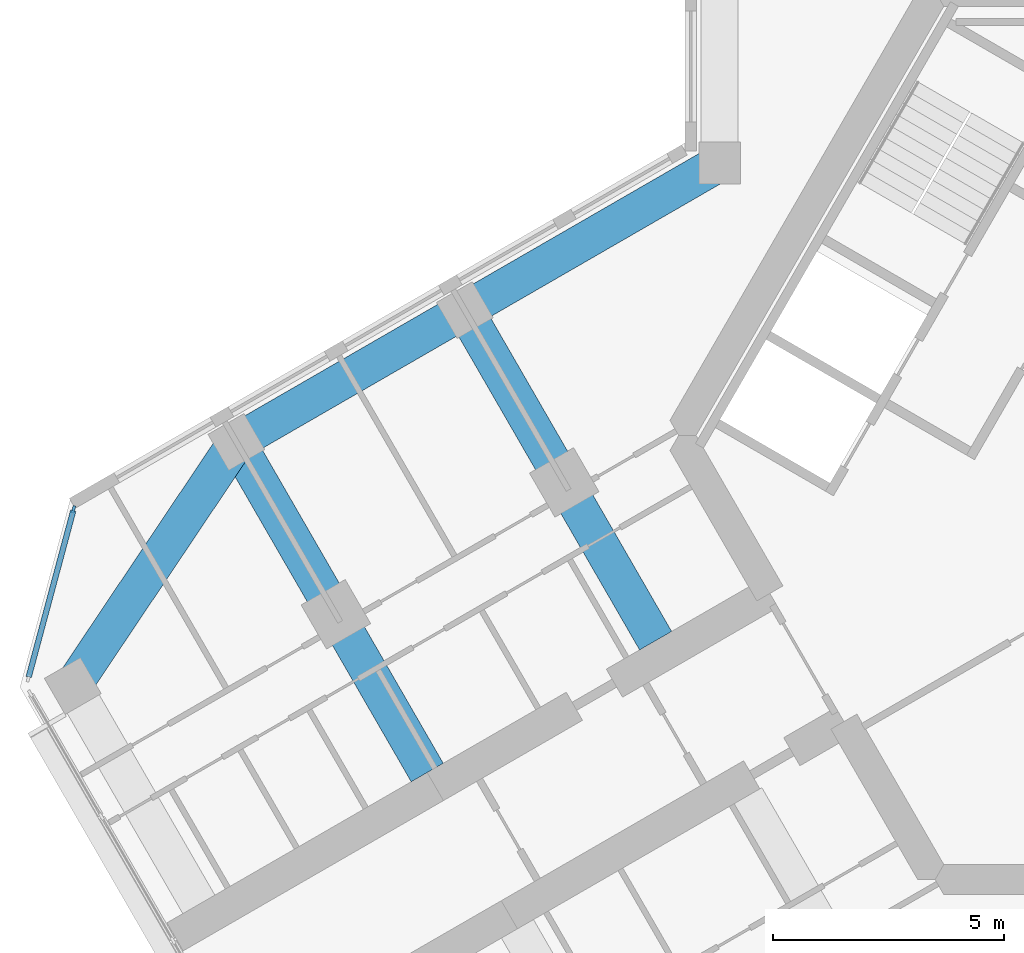
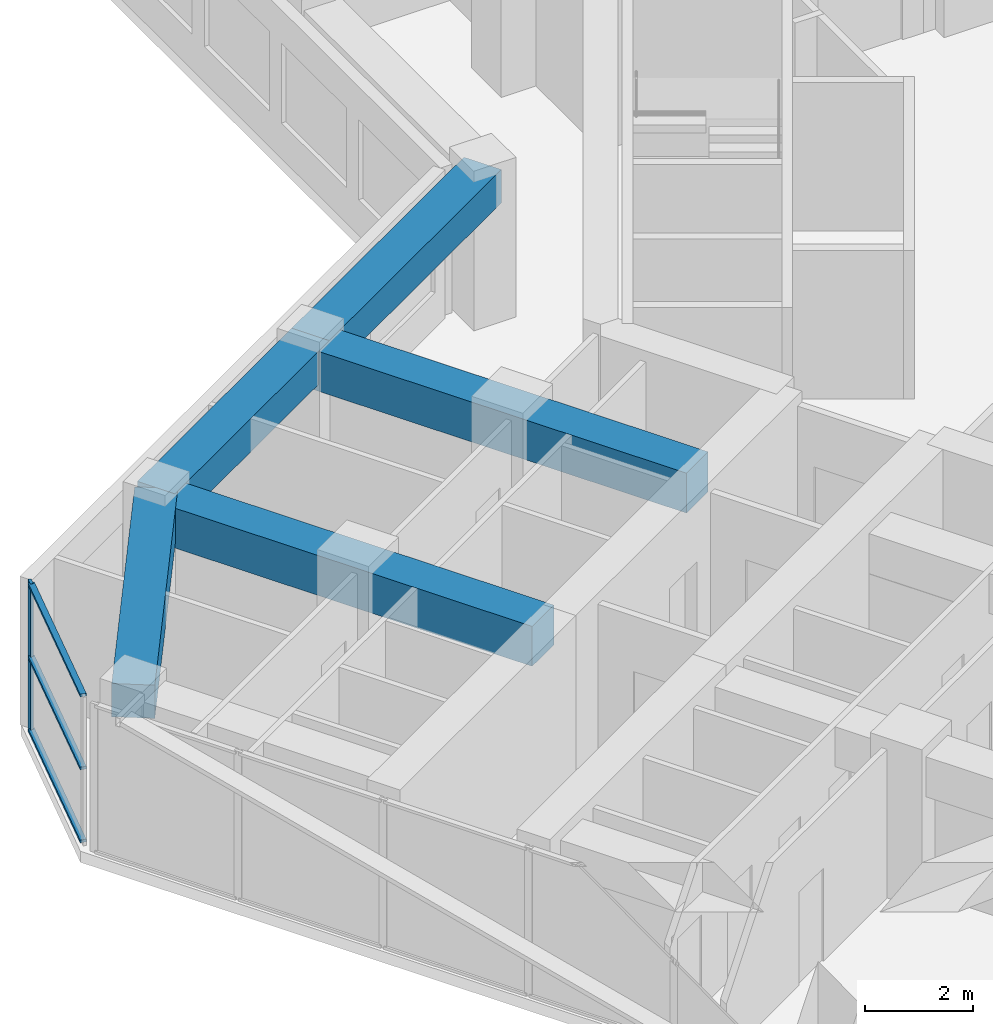
# One storey, part 3 of 16: 5 beams, 4 members, 1 element without a shape of its own.
"""IFC4 building model written with IfcOpenShell, lengths in metres."""

from ifc_helpers import new_model, si_unit, direction, frame, origin, origin_2d, place, context, subcontext, project, spatial, rectangle, extrude, material, material_profile, profile_set, type_object, element, aggregate, save


model = new_model("IFC4")

# Units and contexts
model_context = context("Model", 3, precision=1e-05, world=origin(), true_north=direction((0.0, 1.0)))
body_context = subcontext(model_context, "Body", "Model", "MODEL_VIEW")
ifc_project = project(units=[si_unit("LENGTHUNIT", "METRE"), si_unit("AREAUNIT", "SQUARE_METRE"), si_unit("VOLUMEUNIT", "CUBIC_METRE"), si_unit("PLANEANGLEUNIT", "RADIAN"), si_unit("MASSUNIT", "GRAM", prefix="KILO")], contexts=[model_context])

# Site, building, storey
site_placement = place(None, origin())
site = spatial("IfcSite", under=ifc_project, at=site_placement, CompositionType="ELEMENT")
building_placement = place(site_placement, origin())
building = spatial("IfcBuilding", under=site, at=building_placement, Name="Kosmar Iwan School Tower", CompositionType="ELEMENT")
storey_placement = place(building_placement, frame((0.0, 0.0, 197.39990234375)))
storey = spatial("IfcBuildingStorey", under=building, at=storey_placement, Name="L49", CompositionType="ELEMENT", Elevation=197.39990234375)

# Curtain wall, member
ifc_material_1 = material(Name="Dark glass in black aluminium frame", Category="aluminium")
curtain_wall_type = type_object("IfcCurtainWallType", Name="Chamfer curtain wall dark glass", PredefinedType="USERDEFINED", material=ifc_material_1)
curtain_wall_placement = place(storey_placement, origin())
curtain_wall = element("IfcCurtainWall", 1, at=curtain_wall_placement, inside=storey, type_object=curtain_wall_type, Name="Curtain wall L49-F10", ObjectType="FACETED CURTAIN WALL", PredefinedType="USERDEFINED")
ifc_material_2 = material(Name="Black anodised aluminium", Category="aluminium")
ifc_material_profile_1 = material_profile(ifc_material_2, rectangle(XDim=0.06005859375, YDim=0.159912109375, at=origin_2d()), Name="MULLION 60x160")
ifc_profile_set_1 = profile_set([ifc_material_profile_1], Name="Black anodised aluminium")
member_type_1 = type_object("IfcMemberType", Name="Mullion 60x160", PredefinedType="MULLION", material=ifc_profile_set_1)
member_1_placement = place(storey_placement, frame((-24.163818359375, -1.59814453125, 0.0), z_axis=(0.0, 0.0, 1.0), x_axis=(0.965925875495, -0.258818861462, 0.0)))
member_1 = element("IfcMember", 2, at=member_1_placement, type_object=member_type_1, Name="CW2 mullion 1", PredefinedType="MULLION", context=body_context, shape_type="SweptSolid", body=[
    extrude(rectangle(XDim=0.06005859375, YDim=0.159912109375, at=origin_2d()), origin(), (0.0, 0.0, 1.0), 3.35009765625),
])

# Beams
ifc_material_3 = material(Name="Concrete C50/60", Category="concrete")
ifc_material_profile_2 = material_profile(ifc_material_3, rectangle(XDim=0.800048828125, YDim=0.75, at=origin_2d()), Name="RC 800x750")
ifc_profile_set_2 = profile_set([ifc_material_profile_2], Name="Concrete C50/60")
beam_type_1 = type_object("IfcBeamType", Name="RC edge beam 800x750", PredefinedType="BEAM", material=ifc_profile_set_2)
beam_1_placement = place(storey_placement, frame((-10.199951171875, 5.888916015625, 2.97509765625), z_axis=(-0.866030912664, -0.49999045822, 0.0), x_axis=(0.49999045822, -0.866030912664, 0.0)))
element("IfcBeam", 3, at=beam_1_placement, inside=storey, type_object=beam_type_1, Name="Edge beam BR1", PredefinedType="BEAM", context=body_context, shape_type="SweptSolid", body=[
    extrude(rectangle(XDim=0.800048828125, YDim=0.75, at=origin_2d()), origin(), (0.0, 0.0, 1.0), 6.36083984375),
])
beam_2_placement = place(storey_placement, frame((-15.708740234375, 2.70849609375, 2.97509765625), z_axis=(-0.866025820012, -0.499999279071, 0.0), x_axis=(0.499999279071, -0.866025820012, 0.0)))
element("IfcBeam", 4, at=beam_2_placement, inside=storey, type_object=beam_type_1, Name="Edge beam BR2", PredefinedType="BEAM", context=body_context, shape_type="SweptSolid", body=[
    extrude(rectangle(XDim=0.800048828125, YDim=0.75, at=origin_2d()), origin(), (0.0, 0.0, 1.0), 5.7001953125),
])
ifc_material_4 = material(Name="Concrete C50/60", Category="concrete")
ifc_material_profile_3 = material_profile(ifc_material_4, rectangle(XDim=0.800048828125, YDim=0.75, at=origin_2d()), Name="RC 800x750")
ifc_profile_set_3 = profile_set([ifc_material_profile_3], Name="Concrete C50/60")
beam_type_2 = type_object("IfcBeamType", Name="RC tip beam 800x750", PredefinedType="BEAM", material=ifc_profile_set_3)
beam_3_placement = place(storey_placement, frame((-20.645263671875, -0.1416015625, 2.97509765625), z_axis=(-0.556827604145, -0.83062808721, 0.0), x_axis=(0.83062808721, -0.556827604145, 0.0)))
element("IfcBeam", 5, at=beam_3_placement, inside=storey, type_object=beam_type_2, Name="Tip beam BR", PredefinedType="BEAM", context=body_context, shape_type="SweptSolid", body=[
    extrude(rectangle(XDim=0.800048828125, YDim=0.75, at=origin_2d()), origin(), (0.0, 0.0, 1.0), 6.3505859375),
])
ifc_material_5 = material(Name="Concrete C50/60", Category="concrete")
ifc_material_profile_4 = material_profile(ifc_material_5, rectangle(XDim=0.800048828125, YDim=0.89990234375, at=origin_2d()), Name="RC 800x900")
ifc_profile_set_4 = profile_set([ifc_material_profile_4], Name="Concrete C50/60")
beam_type_3 = type_object("IfcBeamType", Name="RC transverse beam 800x900", PredefinedType="BEAM", material=ifc_profile_set_4)
beam_4_placement = place(storey_placement, frame((-15.708740234375, 2.70849609375, 2.900146484375), z_axis=(0.499996545922, -0.866027397988, 0.0), x_axis=(0.866027397988, 0.499996545922, 0.0)))
element("IfcBeam", 6, at=beam_4_placement, inside=storey, type_object=beam_type_3, Name="Transverse beam BR1", PredefinedType="BEAM", context=body_context, shape_type="SweptSolid", body=[
    extrude(rectangle(XDim=0.800048828125, YDim=0.89990234375, at=origin_2d()), origin(), (0.0, 0.0, 1.0), 8.25),
])
beam_5_placement = place(storey_placement, frame((-20.645263671875, -0.1416015625, 2.900146484375), z_axis=(0.500009360108, -0.866019999656, 0.0), x_axis=(0.866019999656, 0.500009360108, 0.0)))
element("IfcBeam", 7, at=beam_5_placement, inside=storey, type_object=beam_type_3, Name="Transverse beam BR2", PredefinedType="BEAM", context=body_context, shape_type="SweptSolid", body=[
    extrude(rectangle(XDim=0.800048828125, YDim=0.89990234375, at=origin_2d()), origin(), (0.0, 0.0, 1.0), 8.249755859375),
])

# Member
ifc_material_6 = material(Name="Black anodised aluminium", Category="aluminium")
ifc_material_profile_5 = material_profile(ifc_material_6, rectangle(XDim=0.1201171875, YDim=0.06005859375, at=origin_2d()), Name="TRANSOM 60x120")
ifc_profile_set_5 = profile_set([ifc_material_profile_5], Name="Black anodised aluminium")
member_type_2 = type_object("IfcMemberType", Name="Transom 60x120", PredefinedType="USERDEFINED", material=ifc_profile_set_5)
member_2_placement = place(storey_placement, frame((-24.17138671875, -1.627197265625, 0.030029296875), z_axis=(-0.258843273983, -0.965919333854, 0.0), x_axis=(0.965919333854, -0.258843273983, 0.0)))
member_2 = element("IfcMember", 8, at=member_2_placement, type_object=member_type_2, Name="CW2 transom 1.1", ObjectType="TRANSOM", PredefinedType="USERDEFINED", context=body_context, shape_type="SweptSolid", body=[
    extrude(rectangle(XDim=0.1201171875, YDim=0.06005859375, at=origin_2d()), origin(), (0.0, 0.0, 1.0), 3.718994140625),
])

member_3_placement = place(storey_placement, frame((-24.17138671875, -1.627197265625, 1.675048828125), z_axis=(-0.258843273983, -0.965919333854, 0.0), x_axis=(0.965919333854, -0.258843273983, 0.0)))
member_3 = element("IfcMember", 9, at=member_3_placement, type_object=member_type_2, Name="CW2 transom 1.2", ObjectType="TRANSOM", PredefinedType="USERDEFINED", context=body_context, shape_type="SweptSolid", body=[
    extrude(rectangle(XDim=0.1201171875, YDim=0.06005859375, at=origin_2d()), origin(), (0.0, 0.0, 1.0), 3.718994140625),
])

member_4_placement = place(storey_placement, frame((-24.17138671875, -1.627197265625, 3.320068359375), z_axis=(-0.258843273983, -0.965919333854, 0.0), x_axis=(0.965919333854, -0.258843273983, 0.0)))
member_4 = element("IfcMember", 10, at=member_4_placement, type_object=member_type_2, Name="CW2 transom 1.3", ObjectType="TRANSOM", PredefinedType="USERDEFINED", context=body_context, shape_type="SweptSolid", body=[
    extrude(rectangle(XDim=0.1201171875, YDim=0.06005859375, at=origin_2d()), origin(), (0.0, 0.0, 1.0), 3.718994140625),
])

aggregate(curtain_wall, [member_1, member_2, member_3, member_4])

save(model, "model.ifc")
